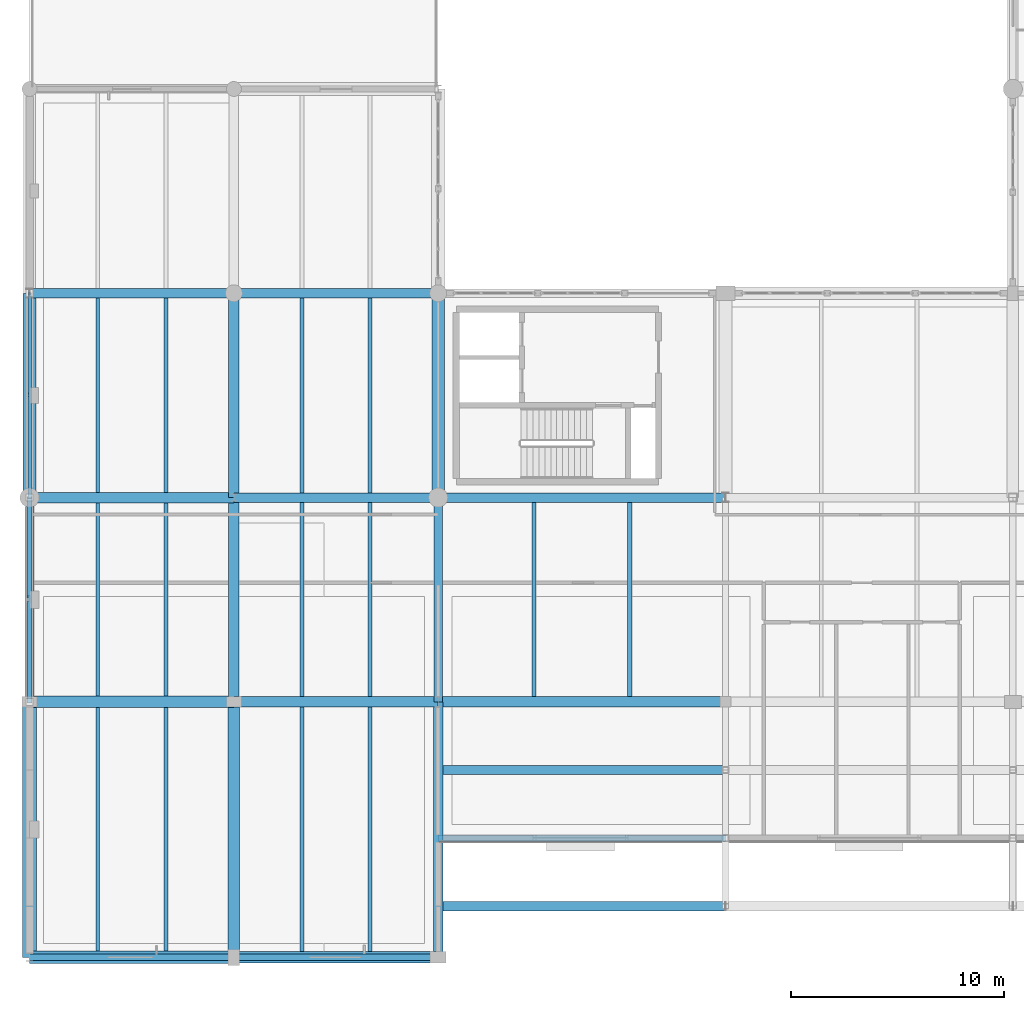
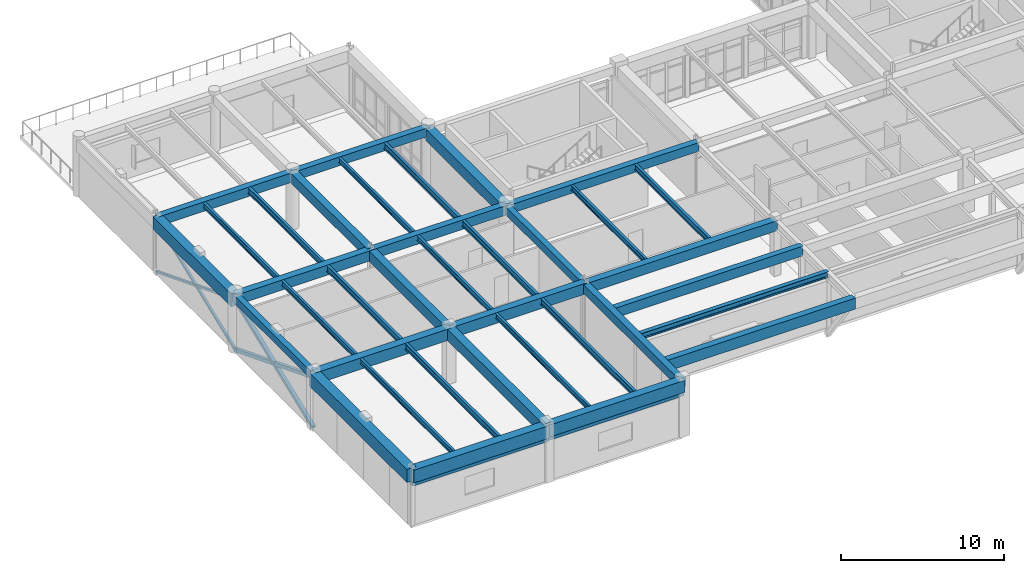
# One storey, part 10 of 80: 38 beams, 6 members.
"""IFC4 building model written with IfcOpenShell, lengths in metres."""

from ifc_helpers import new_model, si_unit, direction, frame, origin, origin_2d, place, context, subcontext, project, spatial, rectangle, hollow_rectangle, i_section, extrude, material, material_profile, profile_set, type_object, element, save


model = new_model("IFC4")

# Units and contexts
model_context = context("Model", 3, precision=1e-05, world=origin(), true_north=direction((0.0, 1.0)))
body_context = subcontext(model_context, "Body", "Model", "MODEL_VIEW")
ifc_project = project(units=[si_unit("LENGTHUNIT", "METRE"), si_unit("AREAUNIT", "SQUARE_METRE"), si_unit("VOLUMEUNIT", "CUBIC_METRE"), si_unit("PLANEANGLEUNIT", "RADIAN"), si_unit("MASSUNIT", "GRAM", prefix="KILO")], contexts=[model_context])

# Site, building, storey
site_placement = place(None, origin())
site = spatial("IfcSite", under=ifc_project, at=site_placement, CompositionType="ELEMENT")
building_placement = place(site_placement, origin())
building = spatial("IfcBuilding", under=site, at=building_placement, Name="Fikremerkos Civic Library", CompositionType="ELEMENT")
storey_placement = place(building_placement, frame((0.0, 0.0, 9.89990234375)))
storey = spatial("IfcBuildingStorey", under=building, at=storey_placement, Name="L02", CompositionType="ELEMENT", Elevation=9.89990234375)

# Members
ifc_material_1 = material(Name="Steel S355", Category="steel")
ifc_material_profile_1 = material_profile(ifc_material_1, hollow_rectangle(XDim=0.25, YDim=0.25, WallThickness=0.012451171875, at=origin_2d()), Name="SHS 250x250x12.5")
ifc_profile_set_1 = profile_set([ifc_material_profile_1], Name="Steel S355")
member_type_1 = type_object("IfcMemberType", Name="Diagonal brace BRC-01 SHS 250x250x12.5", PredefinedType="BRACE", material=ifc_profile_set_1)
member_1_placement = place(storey_placement, frame((0.0, 12.0, 0.0), z_axis=(0.0, 0.930799246413, 0.365530796071), x_axis=(-1.0, 0.0, 0.0)))
element("IfcMember", 1, at=member_1_placement, inside=storey, type_object=member_type_1, Name="Lateral X-brace continuous diagonal BRC-01 L02 #9", PredefinedType="BRACE", context=body_context, shape_type="SweptSolid", body=[
    extrude(hollow_rectangle(XDim=0.25, YDim=0.25, WallThickness=0.012451171875, at=origin_2d()), origin(), (0.0, 0.0, 1.0), 10.313720703125),
])
for number, where, z_axis, x_axis, name in (
    (2, (0.0, 21.60009765625, 0.0), (0.0, -0.930798832685, 0.365531849601), (1.0, 0.0, 0.0), "Lateral X-brace split lower segment BRC-01 L02 #9"),
    (3, (0.0, 16.6669921875, 1.937255859375), (0.0, -0.930798832685, 0.365531849601), (1.0, 0.0, 0.0), "Lateral X-brace split upper segment BRC-01 L02 #9"),
):
    element("IfcMember", number, at=place(storey_placement, frame(where, z_axis=z_axis, x_axis=x_axis)), inside=storey, type_object=member_type_1, Name=name, PredefinedType="BRACE", context=body_context, shape_type="SweptSolid", body=[
        extrude(hollow_rectangle(XDim=0.25, YDim=0.25, WallThickness=0.012451171875, at=origin_2d()), origin(), (0.0, 0.0, 1.0), 5.013916015625),
    ])
ifc_material_profile_2 = material_profile(ifc_material_1, hollow_rectangle(XDim=0.159912109375, YDim=0.159912109375, WallThickness=0.008056640625, at=origin_2d()), Name="SHS 160x160x8")
ifc_profile_set_2 = profile_set([ifc_material_profile_2], Name="Steel S355")
member_type_2 = type_object("IfcMemberType", Name="Diagonal brace BRC-03 SHS 160x160x8", PredefinedType="BRACE", material=ifc_profile_set_2)
member_2_placement = place(storey_placement, frame((0.0, 21.60009765625, 0.0), z_axis=(0.0, 0.930796083533, 0.365538850027), x_axis=(-1.0, 0.0, 0.0)))
element("IfcMember", 4, at=member_2_placement, inside=storey, type_object=member_type_2, Name="Lateral X-brace continuous diagonal BRC-03 L02 #10", PredefinedType="BRACE", context=body_context, shape_type="SweptSolid", body=[
    extrude(hollow_rectangle(XDim=0.159912109375, YDim=0.159912109375, WallThickness=0.008056640625, at=origin_2d()), origin(), (0.0, 0.0, 1.0), 10.3134765625),
])
for number, where, z_axis, x_axis, name in (
    (5, (0.0, 31.199951171875, 0.0), (0.0, -0.930784924726, 0.365567263172), (1.0, 0.0, 0.0), "Lateral X-brace split lower segment BRC-03 L02 #10"),
    (6, (0.0, 26.308837890625, 1.9208984375), (0.0, -0.930801345141, 0.36552545176), (1.0, 0.0, 0.0), "Lateral X-brace split upper segment BRC-03 L02 #10"),
):
    element("IfcMember", number, at=place(storey_placement, frame(where, z_axis=z_axis, x_axis=x_axis)), inside=storey, type_object=member_type_2, Name=name, PredefinedType="BRACE", context=body_context, shape_type="SweptSolid", body=[
        extrude(hollow_rectangle(XDim=0.159912109375, YDim=0.159912109375, WallThickness=0.008056640625, at=origin_2d()), origin(), (0.0, 0.0, 1.0), 5.058837890625),
    ])

# Beams
ifc_material_profile_3 = material_profile(ifc_material_1, i_section(OverallWidth=0.18994140625, OverallDepth=0.449951171875, WebThickness=0.009521484375, FlangeThickness=0.0146484375, FilletRadius=0.02099609375, at=origin_2d()), Name="IPE 450")
ifc_profile_set_3 = profile_set([ifc_material_profile_3], Name="Steel S355")
beam_type_1 = type_object("IfcBeamType", Name="Floor joist JS-07 IPE 450", PredefinedType="JOIST", material=ifc_profile_set_3)
beam_1_placement = place(storey_placement, frame((6.39990234375, 0.300048828125, 3.9951171875), z_axis=(0.0, 1.0, 0.0), x_axis=(-1.0, 0.0, 0.0)))
element("IfcBeam", 7, at=beam_1_placement, inside=storey, type_object=beam_type_1, Name="Floor joist JS-07 L02 #471", PredefinedType="JOIST", context=body_context, shape_type="SweptSolid", body=[
    extrude(i_section(OverallWidth=0.18994140625, OverallDepth=0.449951171875, WebThickness=0.009521484375, FlangeThickness=0.0146484375, FilletRadius=0.02099609375, at=origin_2d()), origin(), (0.0, 0.0, 1.0), 11.425048828125),
])
beam_2_placement = place(storey_placement, frame((6.39990234375, 12.27490234375, 3.9951171875), z_axis=(0.0, 1.0, 0.0), x_axis=(-1.0, 0.0, 0.0)))
element("IfcBeam", 8, at=beam_2_placement, inside=storey, type_object=beam_type_1, Name="Floor joist JS-07 L02 #473", PredefinedType="JOIST", context=body_context, shape_type="SweptSolid", body=[
    extrude(i_section(OverallWidth=0.18994140625, OverallDepth=0.449951171875, WebThickness=0.009521484375, FlangeThickness=0.0146484375, FilletRadius=0.02099609375, at=origin_2d()), origin(), (0.0, 0.0, 1.0), 9.0751953125),
])
beam_3_placement = place(storey_placement, frame((6.39990234375, 21.85009765625, 3.9951171875), z_axis=(0.0, 1.0, 0.0), x_axis=(-1.0, 0.0, 0.0)))
element("IfcBeam", 9, at=beam_3_placement, inside=storey, type_object=beam_type_1, Name="Floor joist JS-07 L02 #475", PredefinedType="JOIST", context=body_context, shape_type="SweptSolid", body=[
    extrude(i_section(OverallWidth=0.18994140625, OverallDepth=0.449951171875, WebThickness=0.009521484375, FlangeThickness=0.0146484375, FilletRadius=0.02099609375, at=origin_2d()), origin(), (0.0, 0.0, 1.0), 9.125),
])
beam_4_placement = place(storey_placement, frame((16.0, 0.27490234375, 3.9951171875), z_axis=(0.0, 1.0, 0.0), x_axis=(-1.0, 0.0, 0.0)))
element("IfcBeam", 10, at=beam_4_placement, inside=storey, type_object=beam_type_1, Name="Floor joist JS-07 L02 #479", PredefinedType="JOIST", context=body_context, shape_type="SweptSolid", body=[
    extrude(i_section(OverallWidth=0.18994140625, OverallDepth=0.449951171875, WebThickness=0.009521484375, FlangeThickness=0.0146484375, FilletRadius=0.02099609375, at=origin_2d()), origin(), (0.0, 0.0, 1.0), 11.47509765625),
])
beam_5_placement = place(storey_placement, frame((16.0, 12.25, 3.9951171875), z_axis=(0.0, 1.0, 0.0), x_axis=(-1.0, 0.0, 0.0)))
element("IfcBeam", 11, at=beam_5_placement, inside=storey, type_object=beam_type_1, Name="Floor joist JS-07 L02 #481", PredefinedType="JOIST", context=body_context, shape_type="SweptSolid", body=[
    extrude(i_section(OverallWidth=0.18994140625, OverallDepth=0.449951171875, WebThickness=0.009521484375, FlangeThickness=0.0146484375, FilletRadius=0.02099609375, at=origin_2d()), origin(), (0.0, 0.0, 1.0), 9.125),
])
beam_6_placement = place(storey_placement, frame((16.0, 21.824951171875, 3.9951171875), z_axis=(0.0, 1.0, 0.0), x_axis=(-1.0, 0.0, 0.0)))
element("IfcBeam", 12, at=beam_6_placement, inside=storey, type_object=beam_type_1, Name="Floor joist JS-07 L02 #483", PredefinedType="JOIST", context=body_context, shape_type="SweptSolid", body=[
    extrude(i_section(OverallWidth=0.18994140625, OverallDepth=0.449951171875, WebThickness=0.009521484375, FlangeThickness=0.0146484375, FilletRadius=0.02099609375, at=origin_2d()), origin(), (0.0, 0.0, 1.0), 9.150146484375),
])
beam_7_placement = place(storey_placement, frame((28.199951171875, 12.25, 3.93505859375), z_axis=(0.0, 1.0, 0.0), x_axis=(-1.0, 0.0, 0.0)))
element("IfcBeam", 13, at=beam_7_placement, inside=storey, type_object=beam_type_1, Name="Floor joist JS-07 L02 #487", PredefinedType="JOIST", context=body_context, shape_type="SweptSolid", body=[
    extrude(i_section(OverallWidth=0.18994140625, OverallDepth=0.449951171875, WebThickness=0.009521484375, FlangeThickness=0.0146484375, FilletRadius=0.02099609375, at=origin_2d()), origin(), (0.0, 0.0, 1.0), 9.125),
])
ifc_material_profile_4 = material_profile(ifc_material_1, i_section(OverallWidth=0.179931640625, OverallDepth=0.39990234375, WebThickness=0.008544921875, FlangeThickness=0.013427734375, FilletRadius=0.02099609375, at=origin_2d()), Name="IPE 400")
ifc_profile_set_4 = profile_set([ifc_material_profile_4], Name="Steel S355")
beam_type_2 = type_object("IfcBeamType", Name="Floor joist JS-08 IPE 400", PredefinedType="JOIST", material=ifc_profile_set_4)
beam_8_placement = place(storey_placement, frame((3.199951171875, 0.300048828125, 4.02001953125), z_axis=(0.0, 1.0, 0.0), x_axis=(-1.0, 0.0, 0.0)))
element("IfcBeam", 14, at=beam_8_placement, inside=storey, type_object=beam_type_2, Name="Floor joist JS-08 L02 #470", PredefinedType="JOIST", context=body_context, shape_type="SweptSolid", body=[
    extrude(i_section(OverallWidth=0.179931640625, OverallDepth=0.39990234375, WebThickness=0.008544921875, FlangeThickness=0.013427734375, FilletRadius=0.02099609375, at=origin_2d()), origin(), (0.0, 0.0, 1.0), 11.425048828125),
])
beam_9_placement = place(storey_placement, frame((3.199951171875, 12.27490234375, 4.02001953125), z_axis=(0.0, 1.0, 0.0), x_axis=(-1.0, 0.0, 0.0)))
element("IfcBeam", 15, at=beam_9_placement, inside=storey, type_object=beam_type_2, Name="Floor joist JS-08 L02 #472", PredefinedType="JOIST", context=body_context, shape_type="SweptSolid", body=[
    extrude(i_section(OverallWidth=0.179931640625, OverallDepth=0.39990234375, WebThickness=0.008544921875, FlangeThickness=0.013427734375, FilletRadius=0.02099609375, at=origin_2d()), origin(), (0.0, 0.0, 1.0), 9.0751953125),
])
beam_10_placement = place(storey_placement, frame((3.199951171875, 21.85009765625, 4.02001953125), z_axis=(0.0, 1.0, 0.0), x_axis=(-1.0, 0.0, 0.0)))
element("IfcBeam", 16, at=beam_10_placement, inside=storey, type_object=beam_type_2, Name="Floor joist JS-08 L02 #474", PredefinedType="JOIST", context=body_context, shape_type="SweptSolid", body=[
    extrude(i_section(OverallWidth=0.179931640625, OverallDepth=0.39990234375, WebThickness=0.008544921875, FlangeThickness=0.013427734375, FilletRadius=0.02099609375, at=origin_2d()), origin(), (0.0, 0.0, 1.0), 9.125),
])
beam_11_placement = place(storey_placement, frame((12.800048828125, 0.27490234375, 4.02001953125), z_axis=(0.0, 1.0, 0.0), x_axis=(-1.0, 0.0, 0.0)))
element("IfcBeam", 17, at=beam_11_placement, inside=storey, type_object=beam_type_2, Name="Floor joist JS-08 L02 #478", PredefinedType="JOIST", context=body_context, shape_type="SweptSolid", body=[
    extrude(i_section(OverallWidth=0.179931640625, OverallDepth=0.39990234375, WebThickness=0.008544921875, FlangeThickness=0.013427734375, FilletRadius=0.02099609375, at=origin_2d()), origin(), (0.0, 0.0, 1.0), 11.47509765625),
])
beam_12_placement = place(storey_placement, frame((12.800048828125, 12.25, 4.02001953125), z_axis=(0.0, 1.0, 0.0), x_axis=(-1.0, 0.0, 0.0)))
element("IfcBeam", 18, at=beam_12_placement, inside=storey, type_object=beam_type_2, Name="Floor joist JS-08 L02 #480", PredefinedType="JOIST", context=body_context, shape_type="SweptSolid", body=[
    extrude(i_section(OverallWidth=0.179931640625, OverallDepth=0.39990234375, WebThickness=0.008544921875, FlangeThickness=0.013427734375, FilletRadius=0.02099609375, at=origin_2d()), origin(), (0.0, 0.0, 1.0), 9.125),
])
beam_13_placement = place(storey_placement, frame((12.800048828125, 21.824951171875, 4.02001953125), z_axis=(0.0, 1.0, 0.0), x_axis=(-1.0, 0.0, 0.0)))
element("IfcBeam", 19, at=beam_13_placement, inside=storey, type_object=beam_type_2, Name="Floor joist JS-08 L02 #482", PredefinedType="JOIST", context=body_context, shape_type="SweptSolid", body=[
    extrude(i_section(OverallWidth=0.179931640625, OverallDepth=0.39990234375, WebThickness=0.008544921875, FlangeThickness=0.013427734375, FilletRadius=0.02099609375, at=origin_2d()), origin(), (0.0, 0.0, 1.0), 9.150146484375),
])
beam_14_placement = place(storey_placement, frame((23.699951171875, 12.25, 3.960205078125), z_axis=(0.0, 1.0, 0.0), x_axis=(-1.0, 0.0, 0.0)))
element("IfcBeam", 20, at=beam_14_placement, inside=storey, type_object=beam_type_2, Name="Floor joist JS-08 L02 #486", PredefinedType="JOIST", context=body_context, shape_type="SweptSolid", body=[
    extrude(i_section(OverallWidth=0.179931640625, OverallDepth=0.39990234375, WebThickness=0.008544921875, FlangeThickness=0.013427734375, FilletRadius=0.02099609375, at=origin_2d()), origin(), (0.0, 0.0, 1.0), 9.125),
])
ifc_material_2 = material(Name="Concrete C40/50", Category="concrete")
ifc_material_profile_5 = material_profile(ifc_material_2, rectangle(XDim=0.300048828125, YDim=0.260009765625, at=origin_2d()), Name="RC 300x260")
ifc_profile_set_5 = profile_set([ifc_material_profile_5], Name="Concrete C40/50")
beam_type_3 = type_object("IfcBeamType", Name="Opening lintel LNT-02 RC 300x260", PredefinedType="LINTEL", material=ifc_profile_set_5)
beam_15_placement = place(storey_placement, frame((19.199951171875, 0.0, 3.110107421875), z_axis=(-1.0, 0.0, 0.0), x_axis=(0.0, -1.0, 0.0)))
element("IfcBeam", 21, at=beam_15_placement, inside=storey, type_object=beam_type_3, Name="Courtyard window head lintel LNT-02 L02 #23", PredefinedType="LINTEL", context=body_context, shape_type="SweptSolid", body=[
    extrude(rectangle(XDim=0.300048828125, YDim=0.260009765625, at=origin_2d()), origin(), (0.0, 0.0, 1.0), 9.599853515625),
])
beam_16_placement = place(storey_placement, frame((9.60009765625, 0.0, 3.06005859375), z_axis=(-1.0, 0.0, 0.0), x_axis=(0.0, -1.0, 0.0)))
element("IfcBeam", 22, at=beam_16_placement, inside=storey, type_object=beam_type_3, Name="Courtyard window head lintel LNT-02 L02 #24", PredefinedType="LINTEL", context=body_context, shape_type="SweptSolid", body=[
    extrude(rectangle(XDim=0.300048828125, YDim=0.260009765625, at=origin_2d()), origin(), (0.0, 0.0, 1.0), 9.60009765625),
])
ifc_material_profile_6 = material_profile(ifc_material_2, rectangle(XDim=0.60009765625, YDim=0.949951171875, at=origin_2d()), Name="RC 600x950")
ifc_profile_set_6 = profile_set([ifc_material_profile_6], Name="Concrete C40/50")
beam_type_4 = type_object("IfcBeamType", Name="Primary girder BM-01 RC 600x950", PredefinedType="BEAM", material=ifc_profile_set_6)
beam_17_placement = place(storey_placement, frame((0.0, 0.0, 3.7451171875), z_axis=(1.0, 0.0, 0.0), x_axis=(0.0, 1.0, 0.0)))
element("IfcBeam", 23, at=beam_17_placement, inside=storey, type_object=beam_type_4, Name="Primary girder BM-01 L02 grid A", PredefinedType="BEAM", context=body_context, shape_type="SweptSolid", body=[
    extrude(rectangle(XDim=0.60009765625, YDim=0.949951171875, at=origin_2d()), origin(), (0.0, 0.0, 1.0), 9.60009765625),
])
beam_18_placement = place(storey_placement, frame((0.0, 21.60009765625, 3.7451171875), z_axis=(0.0, 1.0, 0.0), x_axis=(-1.0, 0.0, 0.0)))
element("IfcBeam", 24, at=beam_18_placement, inside=storey, type_object=beam_type_4, Name="Primary girder BM-01 L02 grid 1", PredefinedType="BEAM", context=body_context, shape_type="SweptSolid", body=[
    extrude(rectangle(XDim=0.60009765625, YDim=0.949951171875, at=origin_2d()), origin(), (0.0, 0.0, 1.0), 9.599853515625),
])
ifc_material_profile_7 = material_profile(ifc_material_2, rectangle(XDim=0.550048828125, YDim=0.89990234375, at=origin_2d()), Name="RC 550x900")
ifc_profile_set_7 = profile_set([ifc_material_profile_7], Name="Concrete C40/50")
beam_type_5 = type_object("IfcBeamType", Name="Primary girder BM-02 RC 550x900", PredefinedType="BEAM", material=ifc_profile_set_7)
beam_19_placement = place(storey_placement, frame((9.60009765625, 0.0, 3.77001953125), z_axis=(1.0, 0.0, 0.0), x_axis=(0.0, 1.0, 0.0)))
element("IfcBeam", 25, at=beam_19_placement, inside=storey, type_object=beam_type_5, Name="Primary girder BM-02 L02 grid A", PredefinedType="BEAM", context=body_context, shape_type="SweptSolid", body=[
    extrude(rectangle(XDim=0.550048828125, YDim=0.89990234375, at=origin_2d()), origin(), (0.0, 0.0, 1.0), 9.599853515625),
])
ifc_material_profile_8 = material_profile(ifc_material_2, rectangle(XDim=0.550048828125, YDim=0.85009765625, at=origin_2d()), Name="RC 550x850")
ifc_profile_set_8 = profile_set([ifc_material_profile_8], Name="Concrete C40/50")
beam_type_6 = type_object("IfcBeamType", Name="Primary girder BM-03 RC 550x850", PredefinedType="BEAM", material=ifc_profile_set_8)
beam_20_placement = place(storey_placement, frame((0.0, 12.0, 3.795166015625), z_axis=(1.0, 0.0, 0.0), x_axis=(0.0, 1.0, 0.0)))
element("IfcBeam", 26, at=beam_20_placement, inside=storey, type_object=beam_type_6, Name="Primary girder BM-03 L02 grid E", PredefinedType="BEAM", context=body_context, shape_type="SweptSolid", body=[
    extrude(rectangle(XDim=0.550048828125, YDim=0.85009765625, at=origin_2d()), origin(), (0.0, 0.0, 1.0), 9.60009765625),
])
beam_21_placement = place(storey_placement, frame((9.60009765625, 0.0, 3.795166015625), z_axis=(0.0, 1.0, 0.0), x_axis=(-1.0, 0.0, 0.0)))
element("IfcBeam", 27, at=beam_21_placement, inside=storey, type_object=beam_type_6, Name="Primary girder BM-03 L02 grid 2", PredefinedType="BEAM", context=body_context, shape_type="SweptSolid", body=[
    extrude(rectangle(XDim=0.550048828125, YDim=0.85009765625, at=origin_2d()), origin(), (0.0, 0.0, 1.0), 12.0),
])
ifc_material_profile_9 = material_profile(ifc_material_2, rectangle(XDim=0.5, YDim=0.800048828125, at=origin_2d()), Name="RC 500x800")
ifc_profile_set_9 = profile_set([ifc_material_profile_9], Name="Concrete C40/50")
beam_type_7 = type_object("IfcBeamType", Name="Primary girder BM-04 RC 500x800", PredefinedType="BEAM", material=ifc_profile_set_9)
beam_22_placement = place(storey_placement, frame((9.60009765625, 12.0, 3.820068359375), z_axis=(1.0, 0.0, 0.0), x_axis=(0.0, 1.0, 0.0)))
element("IfcBeam", 28, at=beam_22_placement, inside=storey, type_object=beam_type_7, Name="Primary girder BM-04 L02 grid E", PredefinedType="BEAM", context=body_context, shape_type="SweptSolid", body=[
    extrude(rectangle(XDim=0.5, YDim=0.800048828125, at=origin_2d()), origin(), (0.0, 0.0, 1.0), 9.599853515625),
])
beam_23_placement = place(storey_placement, frame((9.60009765625, 12.0, 3.820068359375), z_axis=(0.0, 1.0, 0.0), x_axis=(-1.0, 0.0, 0.0)))
element("IfcBeam", 29, at=beam_23_placement, inside=storey, type_object=beam_type_7, Name="Primary girder BM-04 L02 grid 2", PredefinedType="BEAM", context=body_context, shape_type="SweptSolid", body=[
    extrude(rectangle(XDim=0.5, YDim=0.800048828125, at=origin_2d()), origin(), (0.0, 0.0, 1.0), 9.60009765625),
])
ifc_material_profile_10 = material_profile(ifc_material_2, rectangle(XDim=0.5, YDim=0.75, at=origin_2d()), Name="RC 500x750")
ifc_profile_set_10 = profile_set([ifc_material_profile_10], Name="Concrete C40/50")
beam_type_8 = type_object("IfcBeamType", Name="Primary girder BM-05 RC 500x750", PredefinedType="BEAM", material=ifc_profile_set_10)
beam_24_placement = place(storey_placement, frame((19.199951171875, 12.0, 3.78515625), z_axis=(1.0, 0.0, 0.0), x_axis=(0.0, 1.0, 0.0)))
element("IfcBeam", 30, at=beam_24_placement, inside=storey, type_object=beam_type_8, Name="Primary girder BM-05 L02 grid E", PredefinedType="BEAM", context=body_context, shape_type="SweptSolid", body=[
    extrude(rectangle(XDim=0.5, YDim=0.75, at=origin_2d()), origin(), (0.0, 0.0, 1.0), 13.5),
])
beam_25_placement = place(storey_placement, frame((0.0, 21.60009765625, 3.84521484375), z_axis=(1.0, 0.0, 0.0), x_axis=(0.0, 1.0, 0.0)))
element("IfcBeam", 31, at=beam_25_placement, inside=storey, type_object=beam_type_8, Name="Primary girder BM-05 L02 grid F", PredefinedType="BEAM", context=body_context, shape_type="SweptSolid", body=[
    extrude(rectangle(XDim=0.5, YDim=0.75, at=origin_2d()), origin(), (0.0, 0.0, 1.0), 9.60009765625),
])
beam_26_placement = place(storey_placement, frame((9.60009765625, 21.60009765625, 3.84521484375), z_axis=(0.0, 1.0, 0.0), x_axis=(-1.0, 0.0, 0.0)))
element("IfcBeam", 32, at=beam_26_placement, inside=storey, type_object=beam_type_8, Name="Primary girder BM-05 L02 grid 2", PredefinedType="BEAM", context=body_context, shape_type="SweptSolid", body=[
    extrude(rectangle(XDim=0.5, YDim=0.75, at=origin_2d()), origin(), (0.0, 0.0, 1.0), 9.599853515625),
])
ifc_material_profile_11 = material_profile(ifc_material_2, rectangle(XDim=0.449951171875, YDim=0.699951171875, at=origin_2d()), Name="RC 450x700")
ifc_profile_set_11 = profile_set([ifc_material_profile_11], Name="Concrete C40/50")
beam_type_9 = type_object("IfcBeamType", Name="Primary girder BM-06 RC 450x700", PredefinedType="BEAM", material=ifc_profile_set_11)
beam_27_placement = place(storey_placement, frame((9.60009765625, 21.60009765625, 3.8701171875), z_axis=(1.0, 0.0, 0.0), x_axis=(0.0, 1.0, 0.0)))
element("IfcBeam", 33, at=beam_27_placement, inside=storey, type_object=beam_type_9, Name="Primary girder BM-06 L02 grid F", PredefinedType="BEAM", context=body_context, shape_type="SweptSolid", body=[
    extrude(rectangle(XDim=0.449951171875, YDim=0.699951171875, at=origin_2d()), origin(), (0.0, 0.0, 1.0), 9.599853515625),
])
beam_28_placement = place(storey_placement, frame((0.0, 31.199951171875, 3.8701171875), z_axis=(1.0, 0.0, 0.0), x_axis=(0.0, 1.0, 0.0)))
element("IfcBeam", 34, at=beam_28_placement, inside=storey, type_object=beam_type_9, Name="Primary girder BM-06 L02 grid G", PredefinedType="BEAM", context=body_context, shape_type="SweptSolid", body=[
    extrude(rectangle(XDim=0.449951171875, YDim=0.699951171875, at=origin_2d()), origin(), (0.0, 0.0, 1.0), 9.60009765625),
])
ifc_material_profile_12 = material_profile(ifc_material_2, rectangle(XDim=0.449951171875, YDim=0.64990234375, at=origin_2d()), Name="RC 450x650")
ifc_profile_set_12 = profile_set([ifc_material_profile_12], Name="Concrete C40/50")
beam_type_10 = type_object("IfcBeamType", Name="Primary girder BM-07 RC 450x650", PredefinedType="BEAM", material=ifc_profile_set_12)
beam_29_placement = place(storey_placement, frame((19.199951171875, 21.60009765625, 3.835205078125), z_axis=(1.0, 0.0, 0.0), x_axis=(0.0, 1.0, 0.0)))
element("IfcBeam", 35, at=beam_29_placement, inside=storey, type_object=beam_type_10, Name="Primary girder BM-07 L02 grid F", PredefinedType="BEAM", context=body_context, shape_type="SweptSolid", body=[
    extrude(rectangle(XDim=0.449951171875, YDim=0.64990234375, at=origin_2d()), origin(), (0.0, 0.0, 1.0), 13.5),
])
beam_30_placement = place(storey_placement, frame((9.60009765625, 31.199951171875, 3.89501953125), z_axis=(1.0, 0.0, 0.0), x_axis=(0.0, 1.0, 0.0)))
element("IfcBeam", 36, at=beam_30_placement, inside=storey, type_object=beam_type_10, Name="Primary girder BM-07 L02 grid G", PredefinedType="BEAM", context=body_context, shape_type="SweptSolid", body=[
    extrude(rectangle(XDim=0.449951171875, YDim=0.64990234375, at=origin_2d()), origin(), (0.0, 0.0, 1.0), 9.599853515625),
])
beam_31_placement = place(storey_placement, frame((19.199951171875, 0.0, 3.835205078125), z_axis=(0.0, 1.0, 0.0), x_axis=(-1.0, 0.0, 0.0)))
element("IfcBeam", 37, at=beam_31_placement, inside=storey, type_object=beam_type_10, Name="Primary girder BM-07 L02 grid 3", PredefinedType="BEAM", context=body_context, shape_type="SweptSolid", body=[
    extrude(rectangle(XDim=0.449951171875, YDim=0.64990234375, at=origin_2d()), origin(), (0.0, 0.0, 1.0), 12.0),
])
ifc_material_profile_13 = material_profile(ifc_material_2, rectangle(XDim=0.39990234375, YDim=0.60009765625, at=origin_2d()), Name="RC 400x600")
ifc_profile_set_13 = profile_set([ifc_material_profile_13], Name="Concrete C40/50")
beam_type_11 = type_object("IfcBeamType", Name="Primary girder BM-08 RC 400x600", PredefinedType="BEAM", material=ifc_profile_set_13)
beam_32_placement = place(storey_placement, frame((19.199951171875, 12.0, 3.860107421875), z_axis=(0.0, 1.0, 0.0), x_axis=(-1.0, 0.0, 0.0)))
element("IfcBeam", 38, at=beam_32_placement, inside=storey, type_object=beam_type_11, Name="Primary girder BM-08 L02 grid 3", PredefinedType="BEAM", context=body_context, shape_type="SweptSolid", body=[
    extrude(rectangle(XDim=0.39990234375, YDim=0.60009765625, at=origin_2d()), origin(), (0.0, 0.0, 1.0), 9.60009765625),
])
ifc_material_profile_14 = material_profile(ifc_material_2, rectangle(XDim=0.60009765625, YDim=0.85009765625, at=origin_2d()), Name="RC 600x850")
ifc_profile_set_14 = profile_set([ifc_material_profile_14], Name="Concrete C40/50")
beam_type_12 = type_object("IfcBeamType", Name="Primary girder BM-24 RC 600x850", PredefinedType="BEAM", material=ifc_profile_set_14)
beam_33_placement = place(storey_placement, frame((19.199951171875, 21.60009765625, 3.735107421875), z_axis=(0.0, 1.0, 0.0), x_axis=(-1.0, 0.0, 0.0)))
element("IfcBeam", 39, at=beam_33_placement, inside=storey, type_object=beam_type_12, Name="Primary girder BM-24 L02 grid 3", PredefinedType="BEAM", context=body_context, shape_type="SweptSolid", body=[
    extrude(rectangle(XDim=0.60009765625, YDim=0.85009765625, at=origin_2d()), origin(), (0.0, 0.0, 1.0), 9.599853515625),
])
ifc_material_3 = material(Name="Concrete C45/55", Category="concrete")
ifc_material_profile_15 = material_profile(ifc_material_3, rectangle(XDim=0.64990234375, YDim=1.0, at=origin_2d()), Name="RC 650x1000")
ifc_profile_set_15 = profile_set([ifc_material_profile_15], Name="Concrete C45/55")
beam_type_13 = type_object("IfcBeamType", Name="Primary girder BM-25 RC 650x1000", PredefinedType="BEAM", material=ifc_profile_set_15)
beam_34_placement = place(storey_placement, frame((0.0, 0.0, 3.72021484375), z_axis=(0.0, 1.0, 0.0), x_axis=(-1.0, 0.0, 0.0)))
element("IfcBeam", 40, at=beam_34_placement, inside=storey, type_object=beam_type_13, Name="Primary girder BM-25 L02 grid 1", PredefinedType="BEAM", context=body_context, shape_type="SweptSolid", body=[
    extrude(rectangle(XDim=0.64990234375, YDim=1.0, at=origin_2d()), origin(), (0.0, 0.0, 1.0), 12.0),
])
ifc_material_profile_16 = material_profile(ifc_material_2, rectangle(XDim=0.39990234375, YDim=0.550048828125, at=origin_2d()), Name="RC 400x550")
ifc_profile_set_16 = profile_set([ifc_material_profile_16], Name="Concrete C40/50")
beam_type_14 = type_object("IfcBeamType", Name="Primary girder BM-26 RC 400x550", PredefinedType="BEAM", material=ifc_profile_set_16)
beam_35_placement = place(storey_placement, frame((0.0, 12.0, 3.945068359375), z_axis=(0.0, 1.0, 0.0), x_axis=(-1.0, 0.0, 0.0)))
element("IfcBeam", 41, at=beam_35_placement, inside=storey, type_object=beam_type_14, Name="Primary girder BM-26 L02 grid 1", PredefinedType="BEAM", context=body_context, shape_type="SweptSolid", body=[
    extrude(rectangle(XDim=0.39990234375, YDim=0.550048828125, at=origin_2d()), origin(), (0.0, 0.0, 1.0), 9.60009765625),
])
ifc_material_profile_17 = material_profile(ifc_material_2, rectangle(XDim=0.449951171875, YDim=0.820068359375, at=origin_2d()), Name="RC 450x820")
ifc_profile_set_17 = profile_set([ifc_material_profile_17], Name="Concrete C40/50")
beam_type_15 = type_object("IfcBeamType", Name="Spandrel edge beam SPB-02 RC 450x820", PredefinedType="SPANDREL", material=ifc_profile_set_17)
beam_36_placement = place(storey_placement, frame((19.199951171875, 2.39990234375, 3.75), z_axis=(1.0, 0.0, 0.0), x_axis=(0.0, 1.0, 0.0)))
element("IfcBeam", 42, at=beam_36_placement, inside=storey, type_object=beam_type_15, Name="Spandrel edge beam SPB-02 L02 Y=2.4 bay 1", PredefinedType="SPANDREL", context=body_context, shape_type="SweptSolid", body=[
    extrude(rectangle(XDim=0.449951171875, YDim=0.820068359375, at=origin_2d()), origin(), (0.0, 0.0, 1.0), 13.5),
])
ifc_material_profile_18 = material_profile(ifc_material_2, rectangle(XDim=0.39990234375, YDim=0.719970703125, at=origin_2d()), Name="RC 400x720")
ifc_profile_set_18 = profile_set([ifc_material_profile_18], Name="Concrete C40/50")
beam_type_16 = type_object("IfcBeamType", Name="Spandrel edge beam SPB-03 RC 400x720", PredefinedType="SPANDREL", material=ifc_profile_set_18)
beam_37_placement = place(storey_placement, frame((19.199951171875, 8.800048828125, 3.800048828125), z_axis=(1.0, 0.0, 0.0), x_axis=(0.0, 1.0, 0.0)))
element("IfcBeam", 43, at=beam_37_placement, inside=storey, type_object=beam_type_16, Name="Spandrel edge beam SPB-03 L02 Y=8.8 bay 1", PredefinedType="SPANDREL", context=body_context, shape_type="SweptSolid", body=[
    extrude(rectangle(XDim=0.39990234375, YDim=0.719970703125, at=origin_2d()), origin(), (0.0, 0.0, 1.0), 13.5),
])
ifc_material_profile_19 = material_profile(ifc_material_1, i_section(OverallWidth=0.300048828125, OverallDepth=0.43994140625, WebThickness=0.011474609375, FlangeThickness=0.02099609375, FilletRadius=0.027099609375, at=origin_2d()), Name="HEA 450")
ifc_profile_set_19 = profile_set([ifc_material_profile_19], Name="Steel S355")
beam_type_17 = type_object("IfcBeamType", Name="Spandrel edge beam SPB-05 HEA 450", PredefinedType="SPANDREL", material=ifc_profile_set_19)
beam_38_placement = place(storey_placement, frame((19.199951171875, 5.60009765625, 3.940185546875), z_axis=(1.0, 0.0, 0.0), x_axis=(0.0, 1.0, 0.0)))
element("IfcBeam", 44, at=beam_38_placement, inside=storey, type_object=beam_type_17, Name="Spandrel edge beam SPB-05 L02 Y=5.6 bay 1", PredefinedType="SPANDREL", context=body_context, shape_type="SweptSolid", body=[
    extrude(i_section(OverallWidth=0.300048828125, OverallDepth=0.43994140625, WebThickness=0.011474609375, FlangeThickness=0.02099609375, FilletRadius=0.027099609375, at=origin_2d()), origin(), (0.0, 0.0, 1.0), 13.5),
])

save(model, "model.ifc")
